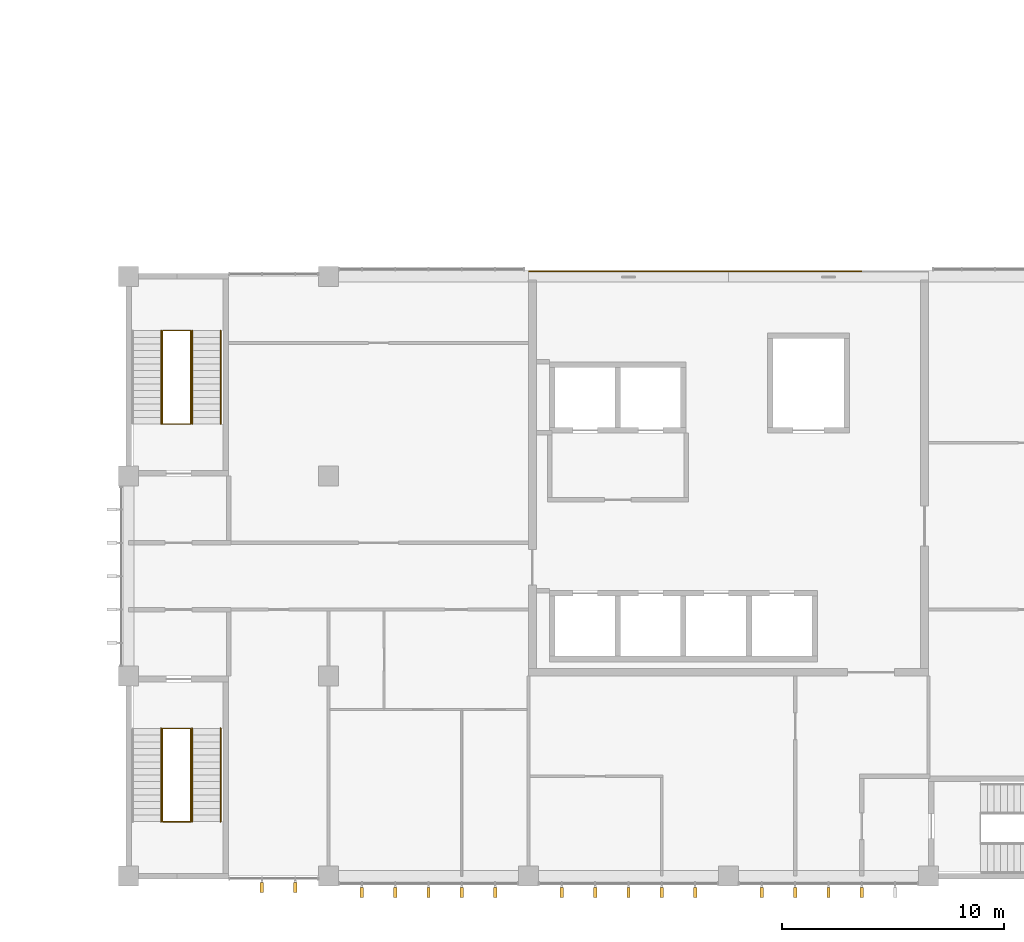
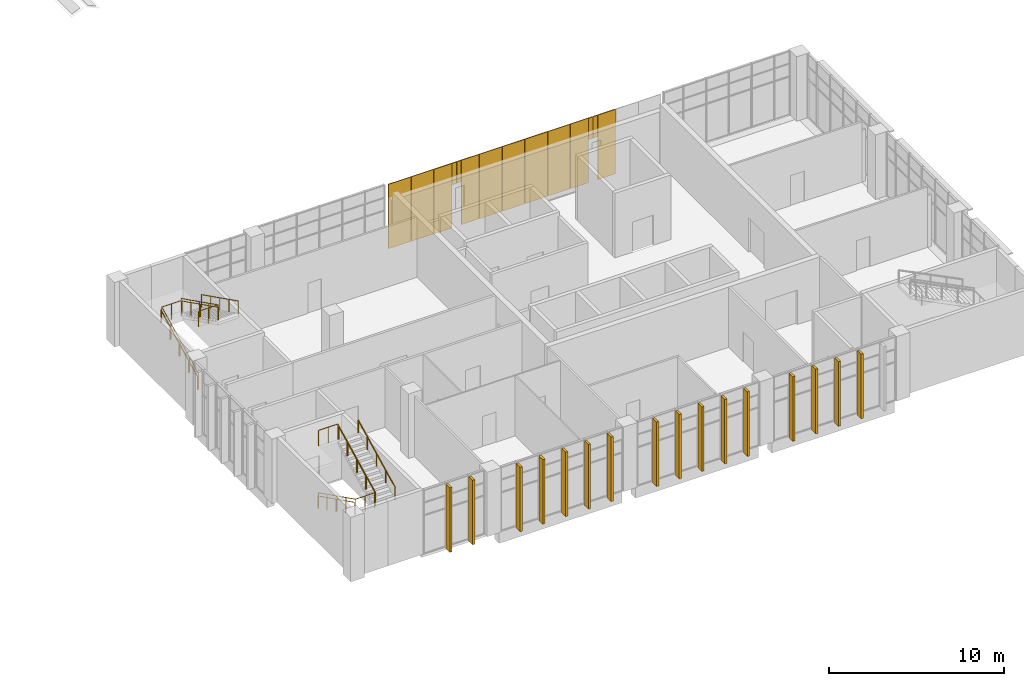
# One storey, part 77 of 79: 16 shading devices, 14 coverings, 8 railings.
"""IFC4 building model written with IfcOpenShell, lengths in metres."""

from ifc_helpers import new_model, si_unit, direction, frame, origin, origin_2d, place, context, subcontext, project, spatial, rectangle, circle, extrude, material, layer, layer_set, type_object, element, save


model = new_model("IFC4")

# Units and contexts
model_context = context("Model", 3, precision=1e-05, world=origin(), true_north=direction((0.0, 1.0)))
body_context = subcontext(model_context, "Body", "Model", "MODEL_VIEW")
ifc_project = project(units=[si_unit("LENGTHUNIT", "METRE"), si_unit("AREAUNIT", "SQUARE_METRE"), si_unit("VOLUMEUNIT", "CUBIC_METRE"), si_unit("PLANEANGLEUNIT", "RADIAN"), si_unit("MASSUNIT", "GRAM", prefix="KILO")], contexts=[model_context])

# Site, building, storey
site_placement = place(None, origin())
site = spatial("IfcSite", under=ifc_project, at=site_placement, CompositionType="ELEMENT")
building_placement = place(site_placement, origin())
building = spatial("IfcBuilding", under=site, at=building_placement, Name="Guidao Yard Department Store", CompositionType="ELEMENT")
storey_placement = place(building_placement, frame((0.0, 0.0, 15.0)))
storey = spatial("IfcBuildingStorey", under=building, at=storey_placement, Name="L03", CompositionType="ELEMENT", Elevation=15.0)

# Coverings
ifc_material_1 = material(Name="Anodised aluminium 6063-T5 cladding", Category="aluminium")
ifc_layer = layer(ifc_material_1, 0.050048828125)
ifc_layer_set = layer_set([ifc_layer], Name="Facade cladding CP1 anodised aluminium panel 6063")
covering_type = type_object("IfcCoveringType", Name="Facade cladding CP1 anodised aluminium panel 6063", PredefinedType="CLADDING", material=ifc_layer_set)
for number, where, z_axis, x_axis, name in (
    (1, (144.75, 27.22509765625, 0.0), (0.0, 0.0, 1.0), (1.0, 0.0, 0.0), "Core face cladding"),
    (2, (146.25, 27.22509765625, 0.0), (0.0, 0.0, 1.0), (1.0, 0.0, 0.0), "Core face cladding"),
):
    element("IfcCovering", number, at=place(storey_placement, frame(where, z_axis=z_axis, x_axis=x_axis)), inside=storey, type_object=covering_type, Name=name, PredefinedType="CLADDING", context=body_context, shape_type="SweptSolid", body=[
        extrude(rectangle(XDim=1.47998046875, YDim=0.050048828125, at=origin_2d()), origin(), (0.0, 0.0, 1.0), 4.5),
    ])
covering_1_placement = place(storey_placement, frame((147.60009765625, 27.22509765625, 0.0), z_axis=(0.0, 0.0, 1.0), x_axis=(1.0, 0.0, 0.0)))
element("IfcCovering", 3, at=covering_1_placement, inside=storey, type_object=covering_type, Name="Core face cladding", PredefinedType="CLADDING", context=body_context, shape_type="SweptSolid", body=[
    extrude(rectangle(XDim=1.179931640625, YDim=0.050048828125, at=origin_2d()), origin(), (0.0, 0.0, 1.0), 4.5),
])
for number, where, z_axis, x_axis, name in (
    (4, (148.35009765625, 27.22509765625, 3.0), (0.0, 0.0, 1.0), (1.0, 0.0, 0.0), "Core face cladding"),
    (5, (148.64990234375, 27.22509765625, 3.0), (0.0, 0.0, 1.0), (1.0, 0.0, 0.0), "Core face cladding"),
):
    element("IfcCovering", number, at=place(storey_placement, frame(where, z_axis=z_axis, x_axis=x_axis)), inside=storey, type_object=covering_type, Name=name, PredefinedType="CLADDING", context=body_context, shape_type="SweptSolid", body=[
        extrude(rectangle(XDim=0.280029296875, YDim=0.050048828125, at=origin_2d()), origin(), (0.0, 0.0, 1.0), 1.5),
    ])
covering_2_placement = place(storey_placement, frame((149.39990234375, 27.22509765625, 0.0), z_axis=(0.0, 0.0, 1.0), x_axis=(1.0, 0.0, 0.0)))
element("IfcCovering", 6, at=covering_2_placement, inside=storey, type_object=covering_type, Name="Core face cladding", PredefinedType="CLADDING", context=body_context, shape_type="SweptSolid", body=[
    extrude(rectangle(XDim=1.179931640625, YDim=0.050048828125, at=origin_2d()), origin(), (0.0, 0.0, 1.0), 4.5),
])
for number, where, z_axis, x_axis, name in (
    (7, (150.75, 27.22509765625, 0.0), (0.0, 0.0, 1.0), (1.0, 0.0, 0.0), "Core face cladding"),
    (8, (152.25, 27.22509765625, 0.0), (0.0, 0.0, 1.0), (1.0, 0.0, 0.0), "Core face cladding"),
    (9, (153.75, 27.22509765625, 0.0), (0.0, 0.0, 1.0), (1.0, 0.0, 0.0), "Core face cladding"),
    (10, (155.25, 27.22509765625, 0.0), (0.0, 0.0, 1.0), (1.0, 0.0, 0.0), "Core face cladding"),
):
    element("IfcCovering", number, at=place(storey_placement, frame(where, z_axis=z_axis, x_axis=x_axis)), inside=storey, type_object=covering_type, Name=name, PredefinedType="CLADDING", context=body_context, shape_type="SweptSolid", body=[
        extrude(rectangle(XDim=1.47998046875, YDim=0.050048828125, at=origin_2d()), origin(), (0.0, 0.0, 1.0), 4.5),
    ])
covering_3_placement = place(storey_placement, frame((156.60009765625, 27.22509765625, 0.0), z_axis=(0.0, 0.0, 1.0), x_axis=(1.0, 0.0, 0.0)))
element("IfcCovering", 11, at=covering_3_placement, inside=storey, type_object=covering_type, Name="Core face cladding", PredefinedType="CLADDING", context=body_context, shape_type="SweptSolid", body=[
    extrude(rectangle(XDim=1.179931640625, YDim=0.050048828125, at=origin_2d()), origin(), (0.0, 0.0, 1.0), 4.5),
])
for number, where, z_axis, x_axis, name in (
    (12, (157.35009765625, 27.22509765625, 3.0), (0.0, 0.0, 1.0), (1.0, 0.0, 0.0), "Core face cladding"),
    (13, (157.64990234375, 27.22509765625, 3.0), (0.0, 0.0, 1.0), (1.0, 0.0, 0.0), "Core face cladding"),
):
    element("IfcCovering", number, at=place(storey_placement, frame(where, z_axis=z_axis, x_axis=x_axis)), inside=storey, type_object=covering_type, Name=name, PredefinedType="CLADDING", context=body_context, shape_type="SweptSolid", body=[
        extrude(rectangle(XDim=0.280029296875, YDim=0.050048828125, at=origin_2d()), origin(), (0.0, 0.0, 1.0), 1.5),
    ])
covering_4_placement = place(storey_placement, frame((158.39990234375, 27.22509765625, 0.0), z_axis=(0.0, 0.0, 1.0), x_axis=(1.0, 0.0, 0.0)))
element("IfcCovering", 14, at=covering_4_placement, inside=storey, type_object=covering_type, Name="Core face cladding", PredefinedType="CLADDING", context=body_context, shape_type="SweptSolid", body=[
    extrude(rectangle(XDim=1.179931640625, YDim=0.050048828125, at=origin_2d()), origin(), (0.0, 0.0, 1.0), 4.5),
])

# Railings
ifc_material_2 = material(Name="Steel Q235", Category="steel")
railing_type_1 = type_object("IfcRailingType", Name="Guard steel balustrade 1100", PredefinedType="GUARDRAIL", material=ifc_material_2)
railing_1_placement = place(storey_placement, frame((127.52490234375, 6.64990234375, 0.14990234375)))
element("IfcRailing", 15, at=railing_1_placement, inside=storey, type_object=railing_type_1, Name="Stair O1 guard L03 13", PredefinedType="GUARDRAIL", context=body_context, shape_type="SweptSolid", body=[
    extrude(circle(Radius=0.02392578125, at=origin_2d()), frame((0.0, 0.0, 1.076171875), z_axis=(0.0, -0.894416792377, 0.447234392142), x_axis=(1.0, 0.0, 0.0)), (0.0, 0.0, 1.0), 4.69580078125),
    extrude(circle(Radius=0.02392578125, at=origin_2d()), frame((0.0, -4.199951171875, 3.17626953125), z_axis=(1.0, 0.0, 0.0), x_axis=(0.0, 1.0, 0.0)), (0.0, 0.0, 1.0), 1.275146484375),
    extrude(circle(Radius=0.02392578125, at=origin_2d()), frame((1.275146484375, -4.199951171875, 3.17626953125), z_axis=(0.0, 0.0, 1.0), x_axis=(1.0, 0.0, 0.0)), (0.0, 0.0, 1.0), 0.14990234375),
    extrude(circle(Radius=0.02392578125, at=origin_2d()), frame((1.275146484375, -4.199951171875, 3.326171875), z_axis=(0.0, 0.894416792377, 0.447234392142), x_axis=(-1.0, 0.0, 0.0)), (0.0, 0.0, 1.0), 4.69580078125),
    extrude(circle(Radius=0.02392578125, at=origin_2d()), frame((1.275146484375, 0.0, 5.42626953125), z_axis=(-1.0, 0.0, 0.0), x_axis=(0.0, -1.0, 0.0)), (0.0, 0.0, 1.0), 1.275146484375),
    extrude(circle(Radius=0.02099609375, at=origin_2d()), origin(), (0.0, 0.0, 1.0), 1.052001953125),
    extrude(circle(Radius=0.02099609375, at=origin_2d()), frame((0.0, -1.050048828125, 0.52490234375)), (0.0, 0.0, 1.0), 1.052001953125),
    extrude(circle(Radius=0.02099609375, at=origin_2d()), frame((0.0, -2.10009765625, 1.050048828125)), (0.0, 0.0, 1.0), 1.052001953125),
    extrude(circle(Radius=0.02099609375, at=origin_2d()), frame((0.0, -3.14990234375, 1.5751953125)), (0.0, 0.0, 1.0), 1.052001953125),
    extrude(circle(Radius=0.02099609375, at=origin_2d()), frame((0.0, -4.199951171875, 2.10009765625)), (0.0, 0.0, 1.0), 1.052001953125),
    extrude(circle(Radius=0.02099609375, at=origin_2d()), frame((0.6376953125, -4.199951171875, 2.10009765625)), (0.0, 0.0, 1.0), 1.052001953125),
    extrude(circle(Radius=0.02099609375, at=origin_2d()), frame((1.275146484375, -4.199951171875, 2.10009765625)), (0.0, 0.0, 1.0), 1.052001953125),
    extrude(circle(Radius=0.02099609375, at=origin_2d()), frame((1.275146484375, -4.199951171875, 2.25)), (0.0, 0.0, 1.0), 1.052001953125),
    extrude(circle(Radius=0.02099609375, at=origin_2d()), frame((1.275146484375, -3.14990234375, 2.77490234375)), (0.0, 0.0, 1.0), 1.052001953125),
    extrude(circle(Radius=0.02099609375, at=origin_2d()), frame((1.275146484375, -2.10009765625, 3.300048828125)), (0.0, 0.0, 1.0), 1.052001953125),
    extrude(circle(Radius=0.02099609375, at=origin_2d()), frame((1.275146484375, -1.050048828125, 3.8251953125)), (0.0, 0.0, 1.0), 1.052001953125),
    extrude(circle(Radius=0.02099609375, at=origin_2d()), frame((1.275146484375, 0.0, 4.35009765625)), (0.0, 0.0, 1.0), 1.052001953125),
    extrude(circle(Radius=0.02099609375, at=origin_2d()), frame((0.6376953125, 0.0, 4.35009765625)), (0.0, 0.0, 1.0), 1.052001953125),
    extrude(circle(Radius=0.02099609375, at=origin_2d()), frame((0.0, 0.0, 4.35009765625)), (0.0, 0.0, 1.0), 1.052001953125),
])
railing_2_placement = place(storey_placement, frame((127.52490234375, 20.35009765625, 0.14990234375)))
element("IfcRailing", 16, at=railing_2_placement, inside=storey, type_object=railing_type_1, Name="Stair O3 guard L03 15", PredefinedType="GUARDRAIL", context=body_context, shape_type="SweptSolid", body=[
    extrude(circle(Radius=0.02392578125, at=origin_2d()), frame((0.0, 0.0, 1.076171875), z_axis=(0.0, 0.894416792377, 0.447234392142), x_axis=(-1.0, 0.0, 0.0)), (0.0, 0.0, 1.0), 4.69580078125),
    extrude(circle(Radius=0.02392578125, at=origin_2d()), frame((0.0, 4.199951171875, 3.17626953125), z_axis=(1.0, 0.0, 0.0), x_axis=(0.0, 1.0, 0.0)), (0.0, 0.0, 1.0), 1.275146484375),
    extrude(circle(Radius=0.02392578125, at=origin_2d()), frame((1.275146484375, 4.199951171875, 3.17626953125), z_axis=(0.0, 0.0, 1.0), x_axis=(1.0, 0.0, 0.0)), (0.0, 0.0, 1.0), 0.14990234375),
    extrude(circle(Radius=0.02392578125, at=origin_2d()), frame((1.275146484375, 4.199951171875, 3.326171875), z_axis=(0.0, -0.894416792377, 0.447234392142), x_axis=(1.0, 0.0, 0.0)), (0.0, 0.0, 1.0), 4.69580078125),
    extrude(circle(Radius=0.02392578125, at=origin_2d()), frame((1.275146484375, 0.0, 5.42626953125), z_axis=(-1.0, 0.0, 0.0), x_axis=(0.0, -1.0, 0.0)), (0.0, 0.0, 1.0), 1.275146484375),
    extrude(circle(Radius=0.02099609375, at=origin_2d()), origin(), (0.0, 0.0, 1.0), 1.052001953125),
    extrude(circle(Radius=0.02099609375, at=origin_2d()), frame((0.0, 1.050048828125, 0.52490234375)), (0.0, 0.0, 1.0), 1.052001953125),
    extrude(circle(Radius=0.02099609375, at=origin_2d()), frame((0.0, 2.10009765625, 1.050048828125)), (0.0, 0.0, 1.0), 1.052001953125),
    extrude(circle(Radius=0.02099609375, at=origin_2d()), frame((0.0, 3.14990234375, 1.5751953125)), (0.0, 0.0, 1.0), 1.052001953125),
    extrude(circle(Radius=0.02099609375, at=origin_2d()), frame((0.0, 4.199951171875, 2.10009765625)), (0.0, 0.0, 1.0), 1.052001953125),
    extrude(circle(Radius=0.02099609375, at=origin_2d()), frame((0.6376953125, 4.199951171875, 2.10009765625)), (0.0, 0.0, 1.0), 1.052001953125),
    extrude(circle(Radius=0.02099609375, at=origin_2d()), frame((1.275146484375, 4.199951171875, 2.10009765625)), (0.0, 0.0, 1.0), 1.052001953125),
    extrude(circle(Radius=0.02099609375, at=origin_2d()), frame((1.275146484375, 4.199951171875, 2.25)), (0.0, 0.0, 1.0), 1.052001953125),
    extrude(circle(Radius=0.02099609375, at=origin_2d()), frame((1.275146484375, 3.14990234375, 2.77490234375)), (0.0, 0.0, 1.0), 1.052001953125),
    extrude(circle(Radius=0.02099609375, at=origin_2d()), frame((1.275146484375, 2.10009765625, 3.300048828125)), (0.0, 0.0, 1.0), 1.052001953125),
    extrude(circle(Radius=0.02099609375, at=origin_2d()), frame((1.275146484375, 1.050048828125, 3.8251953125)), (0.0, 0.0, 1.0), 1.052001953125),
    extrude(circle(Radius=0.02099609375, at=origin_2d()), frame((1.275146484375, 0.0, 4.35009765625)), (0.0, 0.0, 1.0), 1.052001953125),
    extrude(circle(Radius=0.02099609375, at=origin_2d()), frame((0.6376953125, 0.0, 4.35009765625)), (0.0, 0.0, 1.0), 1.052001953125),
    extrude(circle(Radius=0.02099609375, at=origin_2d()), frame((0.0, 0.0, 4.35009765625)), (0.0, 0.0, 1.0), 1.052001953125),
])
ifc_material_3 = material(Name="Steel Q235", Category="steel")
railing_type_2 = type_object("IfcRailingType", Name="Handrail steel tube 48", PredefinedType="HANDRAIL", material=ifc_material_3)
railing_3_placement = place(storey_placement, frame((127.465087890625, 6.64990234375, 0.14990234375)))
element("IfcRailing", 17, at=railing_3_placement, inside=storey, type_object=railing_type_2, Name="Stair O1 hand rail L03 34", PredefinedType="HANDRAIL", context=body_context, shape_type="SweptSolid", body=[
    extrude(circle(Radius=0.02392578125, at=origin_2d()), frame((0.0, 0.0, 0.8759765625), z_axis=(0.0, -0.894416792377, 0.447234392142), x_axis=(1.0, 0.0, 0.0)), (0.0, 0.0, 1.0), 4.69580078125),
    extrude(circle(Radius=0.02099609375, at=origin_2d()), origin(), (0.0, 0.0, 1.0), 0.851806640625),
    extrude(circle(Radius=0.02099609375, at=origin_2d()), frame((0.0, -1.050048828125, 0.52490234375)), (0.0, 0.0, 1.0), 0.851806640625),
    extrude(circle(Radius=0.02099609375, at=origin_2d()), frame((0.0, -2.10009765625, 1.050048828125)), (0.0, 0.0, 1.0), 0.851806640625),
    extrude(circle(Radius=0.02099609375, at=origin_2d()), frame((0.0, -3.14990234375, 1.5751953125)), (0.0, 0.0, 1.0), 0.851806640625),
    extrude(circle(Radius=0.02099609375, at=origin_2d()), frame((0.0, -4.199951171875, 2.10009765625)), (0.0, 0.0, 1.0), 0.851806640625),
])
for number, where, name in (
    (18, (128.860107421875, 2.449951171875, 2.39990234375), "Stair O1 hand rail L03 35"),
    (19, (130.139892578125, 2.449951171875, 2.39990234375), "Stair O1 hand rail L03 36"),
    (20, (127.465087890625, 20.35009765625, 0.14990234375), "Stair O3 hand rail L03 42"),
):
    element("IfcRailing", number, at=place(storey_placement, frame(where)), inside=storey, type_object=railing_type_2, Name=name, PredefinedType="HANDRAIL", context=body_context, shape_type="SweptSolid", body=[
        extrude(circle(Radius=0.02392578125, at=origin_2d()), frame((0.0, 0.0, 0.8759765625), z_axis=(0.0, 0.894416792377, 0.447234392142), x_axis=(-1.0, 0.0, 0.0)), (0.0, 0.0, 1.0), 4.69580078125),
        extrude(circle(Radius=0.02099609375, at=origin_2d()), origin(), (0.0, 0.0, 1.0), 0.851806640625),
        extrude(circle(Radius=0.02099609375, at=origin_2d()), frame((0.0, 1.050048828125, 0.52490234375)), (0.0, 0.0, 1.0), 0.851806640625),
        extrude(circle(Radius=0.02099609375, at=origin_2d()), frame((0.0, 2.10009765625, 1.050048828125)), (0.0, 0.0, 1.0), 0.851806640625),
        extrude(circle(Radius=0.02099609375, at=origin_2d()), frame((0.0, 3.14990234375, 1.5751953125)), (0.0, 0.0, 1.0), 0.851806640625),
        extrude(circle(Radius=0.02099609375, at=origin_2d()), frame((0.0, 4.199951171875, 2.10009765625)), (0.0, 0.0, 1.0), 0.851806640625),
    ])
for number, where, name in (
    (21, (128.860107421875, 24.550048828125, 2.39990234375), "Stair O3 hand rail L03 43"),
    (22, (130.139892578125, 24.550048828125, 2.39990234375), "Stair O3 hand rail L03 44"),
):
    element("IfcRailing", number, at=place(storey_placement, frame(where)), inside=storey, type_object=railing_type_2, Name=name, PredefinedType="HANDRAIL", context=body_context, shape_type="SweptSolid", body=[
        extrude(circle(Radius=0.02392578125, at=origin_2d()), frame((0.0, 0.0, 0.8759765625), z_axis=(0.0, -0.894416792377, 0.447234392142), x_axis=(1.0, 0.0, 0.0)), (0.0, 0.0, 1.0), 4.69580078125),
        extrude(circle(Radius=0.02099609375, at=origin_2d()), origin(), (0.0, 0.0, 1.0), 0.851806640625),
        extrude(circle(Radius=0.02099609375, at=origin_2d()), frame((0.0, -1.050048828125, 0.52490234375)), (0.0, 0.0, 1.0), 0.851806640625),
        extrude(circle(Radius=0.02099609375, at=origin_2d()), frame((0.0, -2.10009765625, 1.050048828125)), (0.0, 0.0, 1.0), 0.851806640625),
        extrude(circle(Radius=0.02099609375, at=origin_2d()), frame((0.0, -3.14990234375, 1.5751953125)), (0.0, 0.0, 1.0), 0.851806640625),
        extrude(circle(Radius=0.02099609375, at=origin_2d()), frame((0.0, -4.199951171875, 2.10009765625)), (0.0, 0.0, 1.0), 0.851806640625),
    ])

# Shading devices
ifc_material_4 = material(Name="Aluminium 6063-T5", Category="aluminium")
shading_device_type = type_object("IfcShadingDeviceType", Name="Vertical fin FN2 aluminium 150 x 450", PredefinedType="SHUTTER", material=ifc_material_4)
for number, where, z_axis, x_axis, name in (
    (23, (132.0, -0.5048828125, 0.0), (0.0, 0.0, 1.0), (-1.0, 0.0, 0.0), "Vertical fin"),
    (24, (133.5, -0.5048828125, 0.0), (0.0, 0.0, 1.0), (-1.0, 0.0, 0.0), "Vertical fin"),
    (25, (136.5, -0.735107421875, 0.0), (0.0, 0.0, 1.0), (-1.0, 0.0, 0.0), "Vertical fin"),
    (26, (138.0, -0.735107421875, 0.0), (0.0, 0.0, 1.0), (-1.0, 0.0, 0.0), "Vertical fin"),
    (27, (139.5, -0.735107421875, 0.0), (0.0, 0.0, 1.0), (-1.0, 0.0, 0.0), "Vertical fin"),
    (28, (141.0, -0.735107421875, 0.0), (0.0, 0.0, 1.0), (-1.0, 0.0, 0.0), "Vertical fin"),
    (29, (142.5, -0.735107421875, 0.0), (0.0, 0.0, 1.0), (-1.0, 0.0, 0.0), "Vertical fin"),
    (30, (145.5, -0.735107421875, 0.0), (0.0, 0.0, 1.0), (-1.0, 0.0, 0.0), "Vertical fin"),
    (31, (147.0, -0.735107421875, 0.0), (0.0, 0.0, 1.0), (-1.0, 0.0, 0.0), "Vertical fin"),
    (32, (148.5, -0.735107421875, 0.0), (0.0, 0.0, 1.0), (-1.0, 0.0, 0.0), "Vertical fin"),
    (33, (150.0, -0.735107421875, 0.0), (0.0, 0.0, 1.0), (-1.0, 0.0, 0.0), "Vertical fin"),
    (34, (151.5, -0.735107421875, 0.0), (0.0, 0.0, 1.0), (-1.0, 0.0, 0.0), "Vertical fin"),
    (35, (154.5, -0.735107421875, 0.0), (0.0, 0.0, 1.0), (-1.0, 0.0, 0.0), "Vertical fin"),
    (36, (156.0, -0.735107421875, 0.0), (0.0, 0.0, 1.0), (-1.0, 0.0, 0.0), "Vertical fin"),
    (37, (157.5, -0.735107421875, 0.0), (0.0, 0.0, 1.0), (-1.0, 0.0, 0.0), "Vertical fin"),
    (38, (159.0, -0.735107421875, 0.0), (0.0, 0.0, 1.0), (-1.0, 0.0, 0.0), "Vertical fin"),
):
    element("IfcShadingDevice", number, at=place(storey_placement, frame(where, z_axis=z_axis, x_axis=x_axis)), inside=storey, type_object=shading_device_type, Name=name, PredefinedType="SHUTTER", context=body_context, shape_type="SweptSolid", body=[
        extrude(rectangle(XDim=0.14990234375, YDim=0.449951171875, at=origin_2d()), origin(), (0.0, 0.0, 1.0), 4.5),
    ])

save(model, "model.ifc")
